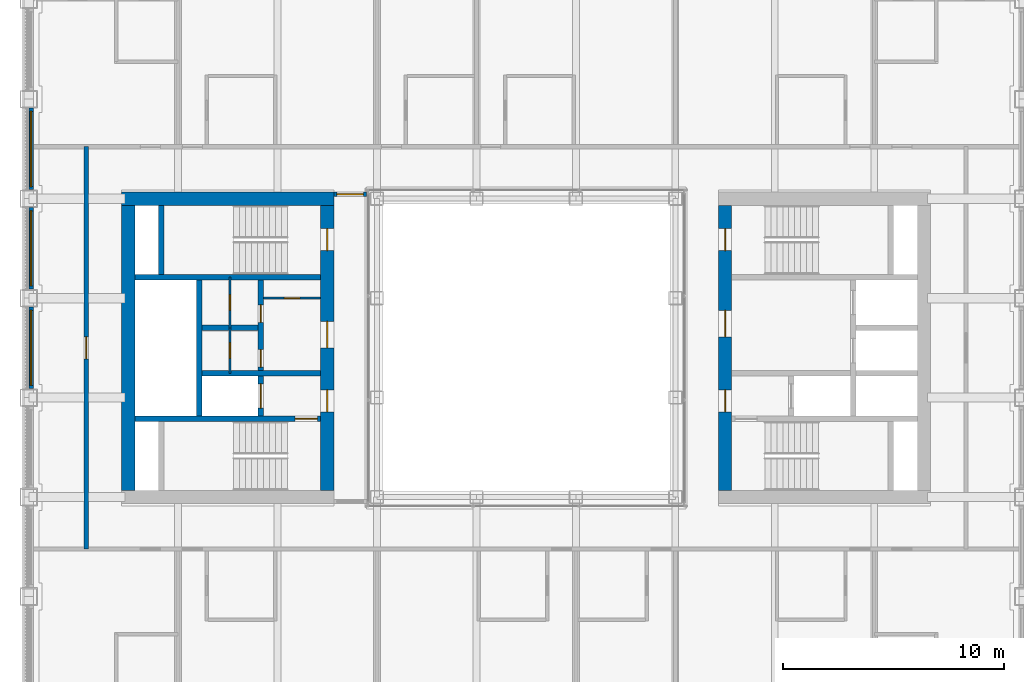
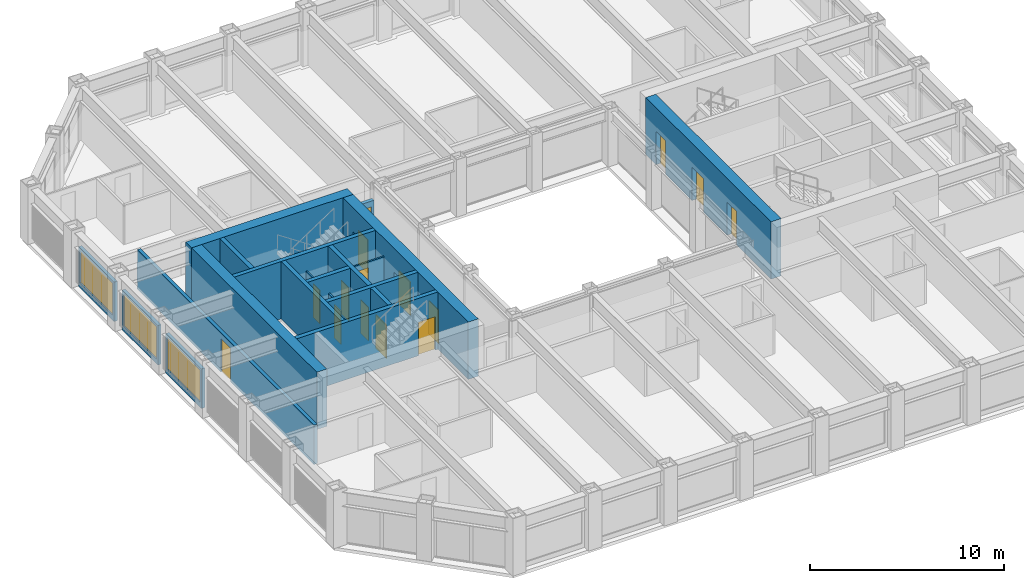
# One storey, part 11 of 17: 19 walls, 15 doors, 3 windows, 18 openings.
"""IFC4 building model written with IfcOpenShell, lengths in metres."""

from ifc_helpers import new_model, si_unit, direction, frame, frame_2d, origin, place, context, subcontext, project, spatial, rectangle, extrude, material, layer, layer_set, type_object, element, fill, save


model = new_model("IFC4")

# Units and contexts
model_context = context("Model", 3, precision=1e-05, world=origin(), true_north=direction((0.0, 1.0)))
body_context = subcontext(model_context, "Body", "Model", "MODEL_VIEW")
ifc_project = project(units=[si_unit("LENGTHUNIT", "METRE"), si_unit("AREAUNIT", "SQUARE_METRE"), si_unit("VOLUMEUNIT", "CUBIC_METRE"), si_unit("PLANEANGLEUNIT", "RADIAN"), si_unit("MASSUNIT", "GRAM", prefix="KILO")], contexts=[model_context])

# Site, building, storey
site_placement = place(None, origin())
site = spatial("IfcSite", under=ifc_project, at=site_placement, CompositionType="ELEMENT")
building_placement = place(site_placement, origin())
building = spatial("IfcBuilding", under=site, at=building_placement, Name="Msasa Ring Tower", CompositionType="ELEMENT")
storey_placement = place(building_placement, frame((0.0, 0.0, 161.60009765625)))
storey = spatial("IfcBuildingStorey", under=building, at=storey_placement, Name="L42", CompositionType="ELEMENT", Elevation=161.60009765625)

# Wall, openings, doors
ifc_material_1 = material(Name="Concrete C60/75", Category="concrete")
ifc_layer_1 = layer(ifc_material_1, 0.60009765625)
ifc_layer_set_1 = layer_set([ifc_layer_1], Name="CW2 CORE WALL 600")
wall_type_1 = type_object("IfcWallType", Name="CW2 CORE WALL 600", PredefinedType="SHEAR", material=ifc_layer_set_1)
wall_1_placement = place(storey_placement, frame((9.0, -6.449951171875, 0.0), z_axis=(0.0, 0.0, 1.0), x_axis=(0.0, 1.0, 0.0)))
wall_1 = element("IfcWall", 1, at=wall_1_placement, inside=storey, type_object=wall_type_1, Name="E core wall W L42", PredefinedType="SHEAR", context=body_context, shape_type="SweptSolid", body=[
    extrude(rectangle(XDim=12.89990234375, YDim=0.60009765625, at=frame_2d((6.449951171875, 0.0))), origin(), (0.0, 0.0, 1.0), 3.599853515625),
])
opening_1_placement = place(wall_1_placement, frame((3.550048828125, 0.0, 0.0)))
opening_1 = element("IfcOpeningElement", 2, at=opening_1_placement, cuts=wall_1, Name="Opening HE-028", PredefinedType="OPENING", context=body_context, shape_type="SweptSolid", body=[
    extrude(rectangle(XDim=1.0, YDim=2.10009765625, at=frame_2d((0.5, 1.050048828125))), frame((0.0, 0.31005859375, 0.0), z_axis=(0.0, -1.0, 0.0), x_axis=(1.0, 0.0, 0.0)), (0.0, 0.0, 1.0), 0.6201171875),
])
opening_2_placement = place(wall_1_placement, frame((6.949951171875, 0.0, 0.0)))
opening_2 = element("IfcOpeningElement", 3, at=opening_2_placement, cuts=wall_1, Name="Opening HE-021", PredefinedType="OPENING", context=body_context, shape_type="SweptSolid", body=[
    extrude(rectangle(XDim=1.199951171875, YDim=2.10009765625, at=frame_2d((0.60009765625, 1.050048828125))), frame((0.0, 0.31005859375, 0.0), z_axis=(0.0, -1.0, 0.0), x_axis=(1.0, 0.0, 0.0)), (0.0, 0.0, 1.0), 0.6201171875),
])
opening_3_placement = place(wall_1_placement, frame((10.85009765625, 0.0, 0.0)))
opening_3 = element("IfcOpeningElement", 4, at=opening_3_placement, cuts=wall_1, Name="Opening HE-017", PredefinedType="OPENING", context=body_context, shape_type="SweptSolid", body=[
    extrude(rectangle(XDim=1.0, YDim=2.10009765625, at=frame_2d((0.5, 1.050048828125))), frame((0.0, 0.31005859375, 0.0), z_axis=(0.0, -1.0, 0.0), x_axis=(1.0, 0.0, 0.0)), (0.0, 0.0, 1.0), 0.6201171875),
])
ifc_material_2 = material(Name="Timber door leaf in a steel frame", Category="steel")
door_type_1 = type_object("IfcDoorType", Name="D4 LOBBY DOOR 1000x2100", OperationType="SINGLE_SWING_LEFT", PredefinedType="DOOR", material=ifc_material_2)
door_1_placement = place(opening_1_placement, origin())
door_1 = element("IfcDoor", 5, at=door_1_placement, inside=storey, type_object=door_type_1, Name="Door L42-EFFL", OperationType="SINGLE_SWING_LEFT", OverallHeight=2.10009765625, OverallWidth=1.0, PredefinedType="DOOR", context=body_context, shape_type="SweptSolid", body=[
    extrude(rectangle(XDim=1.0, YDim=2.10009765625, at=frame_2d((0.5, 1.050048828125))), frame((0.0, 0.02490234375, 0.0), z_axis=(0.0, -1.0, 0.0), x_axis=(1.0, 0.0, 0.0)), (0.0, 0.0, 1.0), 0.050048828125),
])
fill(opening_1, door_1)
ifc_material_3 = material(Name="Timber door leaf in a steel frame", Category="steel")
door_type_2 = type_object("IfcDoorType", Name="D5 WIDE LOBBY DOOR 1200x2100", OperationType="SINGLE_SWING_LEFT", PredefinedType="DOOR", material=ifc_material_3)
door_2_placement = place(opening_2_placement, origin())
door_2 = element("IfcDoor", 6, at=door_2_placement, inside=storey, type_object=door_type_2, Name="Door L42-ELL", OperationType="SINGLE_SWING_RIGHT", OverallHeight=2.10009765625, OverallWidth=1.199951171875, PredefinedType="DOOR", context=body_context, shape_type="SweptSolid", body=[
    extrude(rectangle(XDim=1.199951171875, YDim=2.10009765625, at=frame_2d((0.60009765625, 1.050048828125))), frame((0.0, 0.02490234375, 0.0), z_axis=(0.0, -1.0, 0.0), x_axis=(1.0, 0.0, 0.0)), (0.0, 0.0, 1.0), 0.050048828125),
])
fill(opening_2, door_2)
ifc_material_4 = material(Name="Timber door leaf in a steel frame", Category="steel")
door_type_3 = type_object("IfcDoorType", Name="D6 STAIR DOOR 1000x2100", OperationType="SINGLE_SWING_LEFT", PredefinedType="DOOR", material=ifc_material_4)
door_3_placement = place(opening_3_placement, origin())
door_3 = element("IfcDoor", 7, at=door_3_placement, inside=storey, type_object=door_type_3, Name="Door L42-ESTB", OperationType="SINGLE_SWING_RIGHT", OverallHeight=2.10009765625, OverallWidth=1.0, PredefinedType="DOOR", context=body_context, shape_type="SweptSolid", body=[
    extrude(rectangle(XDim=1.0, YDim=2.10009765625, at=frame_2d((0.5, 1.050048828125))), frame((0.0, 0.02490234375, 0.0), z_axis=(0.0, -1.0, 0.0), x_axis=(1.0, 0.0, 0.0)), (0.0, 0.0, 1.0), 0.050048828125),
])
fill(opening_3, door_3)

# Wall
wall_2_placement = place(storey_placement, frame((-8.699951171875, 6.75, 0.0), z_axis=(0.0, 0.0, 1.0), x_axis=(-1.0, 0.0, 0.0)))
element("IfcWall", 8, at=wall_2_placement, inside=storey, type_object=wall_type_1, Name="W core wall N L42", PredefinedType="SHEAR", context=body_context, shape_type="SweptSolid", body=[
    extrude(rectangle(XDim=9.60009765625, YDim=0.60009765625, at=frame_2d((4.800048828125, 0.0))), origin(), (0.0, 0.0, 1.0), 3.599853515625),
])

# Wall, openings, doors
wall_3_placement = place(storey_placement, frame((-9.0, -6.449951171875, 0.0), z_axis=(0.0, 0.0, 1.0), x_axis=(0.0, 1.0, 0.0)))
wall_3 = element("IfcWall", 9, at=wall_3_placement, inside=storey, type_object=wall_type_1, Name="W core wall W L42", PredefinedType="SHEAR", context=body_context, shape_type="SweptSolid", body=[
    extrude(rectangle(XDim=12.89990234375, YDim=0.60009765625, at=frame_2d((6.449951171875, 0.0))), origin(), (0.0, 0.0, 1.0), 3.599853515625),
])
opening_4_placement = place(wall_3_placement, frame((3.550048828125, 0.0, 0.0)))
opening_4 = element("IfcOpeningElement", 10, at=opening_4_placement, cuts=wall_3, Name="Opening HE-027", PredefinedType="OPENING", context=body_context, shape_type="SweptSolid", body=[
    extrude(rectangle(XDim=1.0, YDim=2.10009765625, at=frame_2d((0.5, 1.050048828125))), frame((0.0, 0.31005859375, 0.0), z_axis=(0.0, -1.0, 0.0), x_axis=(1.0, 0.0, 0.0)), (0.0, 0.0, 1.0), 0.6201171875),
])
opening_5_placement = place(wall_3_placement, frame((6.449951171875, 0.0, 0.0)))
opening_5 = element("IfcOpeningElement", 11, at=opening_5_placement, cuts=wall_3, Name="Opening HE-022", PredefinedType="OPENING", context=body_context, shape_type="SweptSolid", body=[
    extrude(rectangle(XDim=1.199951171875, YDim=2.10009765625, at=frame_2d((0.60009765625, 1.050048828125))), frame((0.0, 0.31005859375, 0.0), z_axis=(0.0, -1.0, 0.0), x_axis=(1.0, 0.0, 0.0)), (0.0, 0.0, 1.0), 0.6201171875),
])
opening_6_placement = place(wall_3_placement, frame((10.85009765625, 0.0, 0.0)))
opening_6 = element("IfcOpeningElement", 12, at=opening_6_placement, cuts=wall_3, Name="Opening HE-016", PredefinedType="OPENING", context=body_context, shape_type="SweptSolid", body=[
    extrude(rectangle(XDim=1.0, YDim=2.10009765625, at=frame_2d((0.5, 1.050048828125))), frame((0.0, 0.31005859375, 0.0), z_axis=(0.0, -1.0, 0.0), x_axis=(1.0, 0.0, 0.0)), (0.0, 0.0, 1.0), 0.6201171875),
])
door_4_placement = place(opening_4_placement, origin())
door_4 = element("IfcDoor", 13, at=door_4_placement, inside=storey, type_object=door_type_1, Name="Door L42-WFFL", OperationType="SINGLE_SWING_LEFT", OverallHeight=2.10009765625, OverallWidth=1.0, PredefinedType="DOOR", context=body_context, shape_type="SweptSolid", body=[
    extrude(rectangle(XDim=1.0, YDim=2.10009765625, at=frame_2d((0.5, 1.050048828125))), frame((0.0, 0.02490234375, 0.0), z_axis=(0.0, -1.0, 0.0), x_axis=(1.0, 0.0, 0.0)), (0.0, 0.0, 1.0), 0.050048828125),
])
fill(opening_4, door_4)
door_5_placement = place(opening_5_placement, origin())
door_5 = element("IfcDoor", 14, at=door_5_placement, inside=storey, type_object=door_type_2, Name="Door L42-WLL", OperationType="SINGLE_SWING_RIGHT", OverallHeight=2.10009765625, OverallWidth=1.199951171875, PredefinedType="DOOR", context=body_context, shape_type="SweptSolid", body=[
    extrude(rectangle(XDim=1.199951171875, YDim=2.10009765625, at=frame_2d((0.60009765625, 1.050048828125))), frame((0.0, 0.02490234375, 0.0), z_axis=(0.0, -1.0, 0.0), x_axis=(1.0, 0.0, 0.0)), (0.0, 0.0, 1.0), 0.050048828125),
])
fill(opening_5, door_5)
door_6_placement = place(opening_6_placement, origin())
door_6 = element("IfcDoor", 15, at=door_6_placement, inside=storey, type_object=door_type_3, Name="Door L42-WSTB", OperationType="SINGLE_SWING_RIGHT", OverallHeight=2.10009765625, OverallWidth=1.0, PredefinedType="DOOR", context=body_context, shape_type="SweptSolid", body=[
    extrude(rectangle(XDim=1.0, YDim=2.10009765625, at=frame_2d((0.5, 1.050048828125))), frame((0.0, 0.02490234375, 0.0), z_axis=(0.0, -1.0, 0.0), x_axis=(1.0, 0.0, 0.0)), (0.0, 0.0, 1.0), 0.050048828125),
])
fill(opening_6, door_6)

# Wall
wall_4_placement = place(storey_placement, frame((-18.0, -6.449951171875, 0.0), z_axis=(0.0, 0.0, 1.0), x_axis=(0.0, 1.0, 0.0)))
element("IfcWall", 16, at=wall_4_placement, inside=storey, type_object=wall_type_1, Name="W core wall E L42", PredefinedType="SHEAR", context=body_context, shape_type="SweptSolid", body=[
    extrude(rectangle(XDim=12.89990234375, YDim=0.60009765625, at=frame_2d((6.449951171875, 0.0))), origin(), (0.0, 0.0, 1.0), 3.599853515625),
])

# Wall, opening, door
ifc_material_5 = material(Name="Concrete C60/75", Category="concrete")
ifc_layer_2 = layer(ifc_material_5, 0.25)
ifc_layer_set_2 = layer_set([ifc_layer_2], Name="CW4 CORE INNER WALL 250")
wall_type_2 = type_object("IfcWallType", Name="CW4 CORE INNER WALL 250", PredefinedType="SHEAR", material=ifc_layer_set_2)
wall_5_placement = place(storey_placement, frame((-9.300048828125, -3.199951171875, 0.0), z_axis=(0.0, 0.0, 1.0), x_axis=(-1.0, 0.0, 0.0)))
wall_5 = element("IfcWall", 17, at=wall_5_placement, inside=storey, type_object=wall_type_2, Name="W core wall STAIRA L42", PredefinedType="SHEAR", context=body_context, shape_type="SweptSolid", body=[
    extrude(rectangle(XDim=8.39990234375, YDim=0.25, at=frame_2d((4.199951171875, 0.0))), origin(), (0.0, 0.0, 1.0), 3.599853515625),
])
opening_7_placement = place(wall_5_placement, frame((0.14990234375, 0.0, 0.0)))
opening_7 = element("IfcOpeningElement", 18, at=opening_7_placement, cuts=wall_5, Name="Opening HE-029", PredefinedType="OPENING", context=body_context, shape_type="SweptSolid", body=[
    extrude(rectangle(XDim=1.0, YDim=2.10009765625, at=frame_2d((0.5, 1.050048828125))), frame((0.0, 0.135009765625, 0.0), z_axis=(0.0, -1.0, 0.0), x_axis=(1.0, 0.0, 0.0)), (0.0, 0.0, 1.0), 0.27001953125),
])
door_7_placement = place(opening_7_placement, origin())
door_7 = element("IfcDoor", 19, at=door_7_placement, inside=storey, type_object=door_type_3, Name="Door L42-WSTA", OperationType="SINGLE_SWING_LEFT", OverallHeight=2.10009765625, OverallWidth=1.0, PredefinedType="DOOR", context=body_context, shape_type="SweptSolid", body=[
    extrude(rectangle(XDim=1.0, YDim=2.10009765625, at=frame_2d((0.5, 1.050048828125))), frame((0.0, 0.02490234375, 0.0), z_axis=(0.0, -1.0, 0.0), x_axis=(1.0, 0.0, 0.0)), (0.0, 0.0, 1.0), 0.050048828125),
])
fill(opening_7, door_7)

# Walls
wall_6_placement = place(storey_placement, frame((-9.300048828125, 3.199951171875, 0.0), z_axis=(0.0, 0.0, 1.0), x_axis=(-1.0, 0.0, 0.0)))
element("IfcWall", 20, at=wall_6_placement, inside=storey, type_object=wall_type_2, Name="W core wall STAIRB L42", PredefinedType="SHEAR", context=body_context, shape_type="SweptSolid", body=[
    extrude(rectangle(XDim=8.39990234375, YDim=0.25, at=frame_2d((4.199951171875, 0.0))), origin(), (0.0, 0.0, 1.0), 3.599853515625),
])
wall_7_placement = place(storey_placement, frame((-16.5, 3.324951171875, 0.0), z_axis=(0.0, 0.0, 1.0), x_axis=(0.0, 1.0, 0.0)))
element("IfcWall", 21, at=wall_7_placement, inside=storey, type_object=wall_type_2, Name="W core wall RISERB L42", PredefinedType="SHEAR", context=body_context, shape_type="SweptSolid", body=[
    extrude(rectangle(XDim=3.125, YDim=0.25, at=frame_2d((1.5625, 0.0))), origin(), (0.0, 0.0, 1.0), 3.599853515625),
])
wall_8_placement = place(storey_placement, frame((-9.300048828125, -1.14990234375, 0.0), z_axis=(0.0, 0.0, 1.0), x_axis=(-1.0, 0.0, 0.0)))
element("IfcWall", 22, at=wall_8_placement, inside=storey, type_object=wall_type_2, Name="W core wall FFL L42", PredefinedType="SHEAR", context=body_context, shape_type="SweptSolid", body=[
    extrude(rectangle(XDim=5.375, YDim=0.25, at=frame_2d((2.6875, 0.0))), origin(), (0.0, 0.0, 1.0), 3.599853515625),
])

# Wall, openings, doors
wall_9_placement = place(storey_placement, frame((-12.0, -3.074951171875, 0.0), z_axis=(0.0, 0.0, 1.0), x_axis=(0.0, 1.0, 0.0)))
wall_9 = element("IfcWall", 23, at=wall_9_placement, inside=storey, type_object=wall_type_2, Name="W core wall LOBBY L42", PredefinedType="SHEAR", context=body_context, shape_type="SweptSolid", body=[
    extrude(rectangle(XDim=6.14990234375, YDim=0.25, at=frame_2d((3.074951171875, 0.0))), origin(), (0.0, 0.0, 1.0), 3.599853515625),
])
opening_8_placement = place(wall_9_placement, frame((2.199951171875, 0.0, 0.0)))
opening_8 = element("IfcOpeningElement", 24, at=opening_8_placement, cuts=wall_9, Name="Opening HE-026", PredefinedType="OPENING", context=body_context, shape_type="SweptSolid", body=[
    extrude(rectangle(XDim=0.800048828125, YDim=2.10009765625, at=frame_2d((0.39990234375, 1.050048828125))), frame((0.0, 0.135009765625, 0.0), z_axis=(0.0, -1.0, 0.0), x_axis=(1.0, 0.0, 0.0)), (0.0, 0.0, 1.0), 0.27001953125),
])
opening_9_placement = place(wall_9_placement, frame((4.22509765625, 0.0, 0.0)))
opening_9 = element("IfcOpeningElement", 25, at=opening_9_placement, cuts=wall_9, Name="Opening HE-020", PredefinedType="OPENING", context=body_context, shape_type="SweptSolid", body=[
    extrude(rectangle(XDim=0.800048828125, YDim=2.10009765625, at=frame_2d((0.39990234375, 1.050048828125))), frame((0.0, 0.135009765625, 0.0), z_axis=(0.0, -1.0, 0.0), x_axis=(1.0, 0.0, 0.0)), (0.0, 0.0, 1.0), 0.27001953125),
])
opening_10_placement = place(wall_9_placement, frame((0.35009765625, 0.0, 0.0)))
opening_10 = element("IfcOpeningElement", 26, at=opening_10_placement, cuts=wall_9, Name="Opening LD1", PredefinedType="OPENING", context=body_context, shape_type="SweptSolid", body=[
    extrude(rectangle(XDim=1.10009765625, YDim=2.10009765625, at=frame_2d((0.550048828125, 1.050048828125))), frame((0.0, 0.135009765625, 0.0), z_axis=(0.0, -1.0, 0.0), x_axis=(1.0, 0.0, 0.0)), (0.0, 0.0, 1.0), 0.27001953125),
])
ifc_material_6 = material(Name="Timber door leaf in a steel frame", Category="steel")
door_type_4 = type_object("IfcDoorType", Name="D9 NARROW SERVICE DOOR 800x2100", OperationType="SINGLE_SWING_LEFT", PredefinedType="DOOR", material=ifc_material_6)
door_8_placement = place(opening_8_placement, origin())
door_8 = element("IfcDoor", 27, at=door_8_placement, inside=storey, type_object=door_type_4, Name="Door L42-WR1", OperationType="SINGLE_SWING_LEFT", OverallHeight=2.10009765625, OverallWidth=0.800048828125, PredefinedType="DOOR", context=body_context, shape_type="SweptSolid", body=[
    extrude(rectangle(XDim=0.800048828125, YDim=2.10009765625, at=frame_2d((0.39990234375, 1.050048828125))), frame((0.0, 0.02490234375, 0.0), z_axis=(0.0, -1.0, 0.0), x_axis=(1.0, 0.0, 0.0)), (0.0, 0.0, 1.0), 0.050048828125),
])
fill(opening_8, door_8)
door_9_placement = place(opening_9_placement, origin())
door_9 = element("IfcDoor", 28, at=door_9_placement, inside=storey, type_object=door_type_4, Name="Door L42-WR2", OperationType="SINGLE_SWING_RIGHT", OverallHeight=2.10009765625, OverallWidth=0.800048828125, PredefinedType="DOOR", context=body_context, shape_type="SweptSolid", body=[
    extrude(rectangle(XDim=0.800048828125, YDim=2.10009765625, at=frame_2d((0.39990234375, 1.050048828125))), frame((0.0, 0.02490234375, 0.0), z_axis=(0.0, -1.0, 0.0), x_axis=(1.0, 0.0, 0.0)), (0.0, 0.0, 1.0), 0.050048828125),
])
fill(opening_9, door_9)
ifc_material_7 = material(Name="Stainless steel lift landing door", Category="steel")
door_type_5 = type_object("IfcDoorType", Name="LD1 LIFT LANDING DOOR 1100x2100", OperationType="DOUBLE_DOOR_SLIDING", PredefinedType="DOOR", material=ifc_material_7)
door_10_placement = place(opening_10_placement, origin())
door_10 = element("IfcDoor", 29, at=door_10_placement, inside=storey, type_object=door_type_5, Name="Lift landing door FL-W L42", OperationType="DOUBLE_DOOR_SLIDING", OverallHeight=2.10009765625, OverallWidth=1.10009765625, PredefinedType="DOOR", context=body_context, shape_type="SweptSolid", body=[
    extrude(rectangle(XDim=1.10009765625, YDim=2.10009765625, at=frame_2d((0.550048828125, 1.050048828125))), frame((0.0, 0.02490234375, 0.0), z_axis=(0.0, -1.0, 0.0), x_axis=(1.0, 0.0, 0.0)), (0.0, 0.0, 1.0), 0.050048828125),
])
fill(opening_10, door_10)

# Walls
wall_10_placement = place(storey_placement, frame((-14.800048828125, -3.074951171875, 0.0), z_axis=(0.0, 0.0, 1.0), x_axis=(0.0, 1.0, 0.0)))
element("IfcWall", 30, at=wall_10_placement, inside=storey, type_object=wall_type_2, Name="W core wall SHAFT L42", PredefinedType="SHEAR", context=body_context, shape_type="SweptSolid", body=[
    extrude(rectangle(XDim=6.14990234375, YDim=0.25, at=frame_2d((3.074951171875, 0.0))), origin(), (0.0, 0.0, 1.0), 3.599853515625),
])
wall_11_placement = place(storey_placement, frame((-12.125, 0.89990234375, 0.0), z_axis=(0.0, 0.0, 1.0), x_axis=(-1.0, 0.0, 0.0)))
element("IfcWall", 31, at=wall_11_placement, inside=storey, type_object=wall_type_2, Name="W core wall LIFT1 L42", PredefinedType="SHEAR", context=body_context, shape_type="SweptSolid", body=[
    extrude(rectangle(XDim=2.550048828125, YDim=0.25, at=frame_2d((1.27490234375, 0.0))), origin(), (0.0, 0.0, 1.0), 3.599853515625),
])

# Wall, opening, window
ifc_material_8 = material(Name="Terracotta rainscreen on blockwork", Category="masonry")
ifc_layer_3 = layer(ifc_material_8, 0.199951171875)
ifc_layer_set_3 = layer_set([ifc_layer_3], Name="FW1 TERRACOTTA-LINED INFILL BAY WALL 200")
wall_type_3 = type_object("IfcWallType", Name="FW1 TERRACOTTA-LINED INFILL BAY WALL 200", PredefinedType="SOLIDWALL", material=ifc_layer_set_3)
wall_12_placement = place(storey_placement, frame((-22.39990234375, -1.844970703125, 0.0), z_axis=(0.0, 0.0, 1.0), x_axis=(0.0, 1.0, 0.0)))
wall_12 = element("IfcWall", 32, at=wall_12_placement, inside=storey, type_object=wall_type_3, Name="Infill bay wall W L42 30", PredefinedType="SOLIDWALL", context=body_context, shape_type="SweptSolid", body=[
    extrude(rectangle(XDim=3.68994140625, YDim=0.199951171875, at=frame_2d((1.844970703125, 0.0))), origin(), (0.0, 0.0, 1.0), 2.47900390625),
])
opening_11_placement = place(wall_12_placement, frame((0.14501953125, 0.0, 0.300048828125)))
opening_11 = element("IfcOpeningElement", 33, at=opening_11_placement, cuts=wall_12, Name="Opening WN2", PredefinedType="OPENING", context=body_context, shape_type="SweptSolid", body=[
    extrude(rectangle(XDim=3.39990234375, YDim=2.029052734375, at=frame_2d((1.699951171875, 1.0146484375))), frame((0.0, 0.10986328125, 0.0), z_axis=(0.0, -1.0, 0.0), x_axis=(1.0, 0.0, 0.0)), (0.0, 0.0, 1.0), 0.219970703125),
])
ifc_material_9 = material(Name="Aluminium frame with clear glass", Category="aluminium")
window_type = type_object("IfcWindowType", Name="WN2 GUEST ROOM WINDOW 3400x2029", PartitioningType="SINGLE_PANEL", PredefinedType="WINDOW", material=ifc_material_9)
window_1_placement = place(opening_11_placement, origin())
window_1 = element("IfcWindow", 34, at=window_1_placement, inside=storey, type_object=window_type, Name="Window W L42 30", OverallHeight=2.029052734375, OverallWidth=3.39990234375, PartitioningType="SINGLE_PANEL", PredefinedType="WINDOW", context=body_context, shape_type="SweptSolid", body=[
    extrude(rectangle(XDim=3.39990234375, YDim=2.029052734375, at=frame_2d((1.699951171875, 1.0146484375))), frame((0.0, 0.030029296875, 0.0), z_axis=(0.0, -1.0, 0.0), x_axis=(1.0, 0.0, 0.0)), (0.0, 0.0, 1.0), 0.06005859375),
])
fill(opening_11, window_1)

wall_13_placement = place(storey_placement, frame((-22.39990234375, 2.655029296875, 0.0), z_axis=(0.0, 0.0, 1.0), x_axis=(0.0, 1.0, 0.0)))
wall_13 = element("IfcWall", 35, at=wall_13_placement, inside=storey, type_object=wall_type_3, Name="Infill bay wall W L42 31", PredefinedType="SOLIDWALL", context=body_context, shape_type="SweptSolid", body=[
    extrude(rectangle(XDim=3.68994140625, YDim=0.199951171875, at=frame_2d((1.844970703125, 0.0))), origin(), (0.0, 0.0, 1.0), 2.47900390625),
])
opening_12_placement = place(wall_13_placement, frame((0.14501953125, 0.0, 0.300048828125)))
opening_12 = element("IfcOpeningElement", 36, at=opening_12_placement, cuts=wall_13, Name="Opening WN2", PredefinedType="OPENING", context=body_context, shape_type="SweptSolid", body=[
    extrude(rectangle(XDim=3.39990234375, YDim=2.029052734375, at=frame_2d((1.699951171875, 1.0146484375))), frame((0.0, 0.10986328125, 0.0), z_axis=(0.0, -1.0, 0.0), x_axis=(1.0, 0.0, 0.0)), (0.0, 0.0, 1.0), 0.219970703125),
])
window_2_placement = place(opening_12_placement, origin())
window_2 = element("IfcWindow", 37, at=window_2_placement, inside=storey, type_object=window_type, Name="Window W L42 31", OverallHeight=2.029052734375, OverallWidth=3.39990234375, PartitioningType="SINGLE_PANEL", PredefinedType="WINDOW", context=body_context, shape_type="SweptSolid", body=[
    extrude(rectangle(XDim=3.39990234375, YDim=2.029052734375, at=frame_2d((1.699951171875, 1.0146484375))), frame((0.0, 0.030029296875, 0.0), z_axis=(0.0, -1.0, 0.0), x_axis=(1.0, 0.0, 0.0)), (0.0, 0.0, 1.0), 0.06005859375),
])
fill(opening_12, window_2)

wall_14_placement = place(storey_placement, frame((-22.39990234375, 7.155029296875, 0.0), z_axis=(0.0, 0.0, 1.0), x_axis=(0.0, 1.0, 0.0)))
wall_14 = element("IfcWall", 38, at=wall_14_placement, inside=storey, type_object=wall_type_3, Name="Infill bay wall W L42 32", PredefinedType="SOLIDWALL", context=body_context, shape_type="SweptSolid", body=[
    extrude(rectangle(XDim=3.68994140625, YDim=0.199951171875, at=frame_2d((1.844970703125, 0.0))), origin(), (0.0, 0.0, 1.0), 2.47900390625),
])
opening_13_placement = place(wall_14_placement, frame((0.14501953125, 0.0, 0.300048828125)))
opening_13 = element("IfcOpeningElement", 39, at=opening_13_placement, cuts=wall_14, Name="Opening WN2", PredefinedType="OPENING", context=body_context, shape_type="SweptSolid", body=[
    extrude(rectangle(XDim=3.39990234375, YDim=2.029052734375, at=frame_2d((1.699951171875, 1.0146484375))), frame((0.0, 0.10986328125, 0.0), z_axis=(0.0, -1.0, 0.0), x_axis=(1.0, 0.0, 0.0)), (0.0, 0.0, 1.0), 0.219970703125),
])
window_3_placement = place(opening_13_placement, origin())
window_3 = element("IfcWindow", 40, at=window_3_placement, inside=storey, type_object=window_type, Name="Window W L42 32", OverallHeight=2.029052734375, OverallWidth=3.39990234375, PartitioningType="SINGLE_PANEL", PredefinedType="WINDOW", context=body_context, shape_type="SweptSolid", body=[
    extrude(rectangle(XDim=3.39990234375, YDim=2.029052734375, at=frame_2d((1.699951171875, 1.0146484375))), frame((0.0, 0.030029296875, 0.0), z_axis=(0.0, -1.0, 0.0), x_axis=(1.0, 0.0, 0.0)), (0.0, 0.0, 1.0), 0.06005859375),
])
fill(opening_13, window_3)

# Wall, opening, door
ifc_material_10 = material(Name="Concrete blockwork", Category="masonry")
ifc_layer_4 = layer(ifc_material_10, 0.199951171875)
ifc_layer_set_4 = layer_set([ifc_layer_4], Name="PT1 CORRIDOR WALL 200")
wall_type_4 = type_object("IfcWallType", Name="PT1 CORRIDOR WALL 200", PredefinedType="PARTITIONING", material=ifc_layer_set_4)
wall_15_placement = place(storey_placement, frame((-8.699951171875, 6.949951171875, 0.0), z_axis=(0.0, 0.0, 1.0), x_axis=(1.0, 0.0, 0.0)))
wall_15 = element("IfcWall", 41, at=wall_15_placement, inside=storey, type_object=wall_type_4, Name="Corridor wall L42-SDWN", PredefinedType="PARTITIONING", context=body_context, shape_type="SweptSolid", body=[
    extrude(rectangle(XDim=1.469970703125, YDim=0.199951171875, at=frame_2d((0.73486328125, 0.0))), origin(), (0.0, 0.0, 1.0), 2.473388671875),
])
opening_14_placement = place(wall_15_placement, frame((0.135009765625, 0.0, 0.0)))
opening_14 = element("IfcOpeningElement", 42, at=opening_14_placement, cuts=wall_15, Name="Opening HE-015", PredefinedType="OPENING", context=body_context, shape_type="SweptSolid", body=[
    extrude(rectangle(XDim=1.199951171875, YDim=2.10009765625, at=frame_2d((0.60009765625, 1.050048828125))), frame((0.0, 0.10986328125, 0.0), z_axis=(0.0, -1.0, 0.0), x_axis=(1.0, 0.0, 0.0)), (0.0, 0.0, 1.0), 0.219970703125),
])
ifc_material_11 = material(Name="Timber door leaf in a steel frame", Category="steel")
door_type_6 = type_object("IfcDoorType", Name="D25 CORRIDOR PAIR OF SMOKE DOORS 1200x2100", OperationType="DOUBLE_DOOR_DOUBLE_SWING", PredefinedType="DOOR", material=ifc_material_11)
door_11_placement = place(opening_14_placement, origin())
door_11 = element("IfcDoor", 43, at=door_11_placement, inside=storey, type_object=door_type_6, Name="Door L42-SDWN", OperationType="DOUBLE_DOOR_DOUBLE_SWING", OverallHeight=2.10009765625, OverallWidth=1.199951171875, PredefinedType="DOOR", context=body_context, shape_type="SweptSolid", body=[
    extrude(rectangle(XDim=1.199951171875, YDim=2.10009765625, at=frame_2d((0.60009765625, 1.050048828125))), frame((0.0, 0.02490234375, 0.0), z_axis=(0.0, -1.0, 0.0), x_axis=(1.0, 0.0, 0.0)), (0.0, 0.0, 1.0), 0.050048828125),
])
fill(opening_14, door_11)

wall_16_placement = place(storey_placement, frame((-19.89990234375, -9.10009765625, 0.0), z_axis=(0.0, 0.0, 1.0), x_axis=(0.0, 1.0, 0.0)))
wall_16 = element("IfcWall", 44, at=wall_16_placement, inside=storey, type_object=wall_type_4, Name="Corridor wall L42-STRW", PredefinedType="PARTITIONING", context=body_context, shape_type="SweptSolid", body=[
    extrude(rectangle(XDim=18.2001953125, YDim=0.199951171875, at=frame_2d((9.10009765625, 0.0))), origin(), (0.0, 0.0, 1.0), 2.473388671875),
])
opening_15_placement = place(wall_16_placement, frame((8.60009765625, 0.0, 0.0)))
opening_15 = element("IfcOpeningElement", 45, at=opening_15_placement, cuts=wall_16, Name="Opening HE-023", PredefinedType="OPENING", context=body_context, shape_type="SweptSolid", body=[
    extrude(rectangle(XDim=1.0, YDim=2.10009765625, at=frame_2d((0.5, 1.050048828125))), frame((0.0, 0.10986328125, 0.0), z_axis=(0.0, -1.0, 0.0), x_axis=(1.0, 0.0, 0.0)), (0.0, 0.0, 1.0), 0.219970703125),
])
ifc_material_12 = material(Name="Timber door leaf in a steel frame", Category="steel")
door_type_7 = type_object("IfcDoorType", Name="D10 STORE DOOR 1000x2100", OperationType="SINGLE_SWING_LEFT", PredefinedType="DOOR", material=ifc_material_12)
door_12_placement = place(opening_15_placement, origin())
door_12 = element("IfcDoor", 46, at=door_12_placement, inside=storey, type_object=door_type_7, Name="Door L42-LGW", OperationType="SINGLE_SWING_LEFT", OverallHeight=2.10009765625, OverallWidth=1.0, PredefinedType="DOOR", context=body_context, shape_type="SweptSolid", body=[
    extrude(rectangle(XDim=1.0, YDim=2.10009765625, at=frame_2d((0.5, 1.050048828125))), frame((0.0, 0.02490234375, 0.0), z_axis=(0.0, -1.0, 0.0), x_axis=(1.0, 0.0, 0.0)), (0.0, 0.0, 1.0), 0.050048828125),
])
fill(opening_15, door_12)

ifc_material_13 = material(Name="Gypsum board on steel studs", Category="steel")
ifc_layer_5 = layer(ifc_material_13, 0.10009765625)
ifc_layer_set_5 = layer_set([ifc_layer_5], Name="PT2 STUD PARTITION 100")
wall_type_5 = type_object("IfcWallType", Name="PT2 STUD PARTITION 100", PredefinedType="PARTITIONING", material=ifc_layer_set_5)
wall_17_placement = place(storey_placement, frame((-11.875, 2.25, 0.0), z_axis=(0.0, 0.0, 1.0), x_axis=(1.0, 0.0, 0.0)))
wall_17 = element("IfcWall", 47, at=wall_17_placement, inside=storey, type_object=wall_type_5, Name="Partition L42-WCP", PredefinedType="PARTITIONING", context=body_context, shape_type="SweptSolid", body=[
    extrude(rectangle(XDim=2.574951171875, YDim=0.10009765625, at=frame_2d((1.28759765625, 0.0))), origin(), (0.0, 0.0, 1.0), 2.473388671875),
])
opening_16_placement = place(wall_17_placement, frame((0.9375, 0.0, 0.0)))
opening_16 = element("IfcOpeningElement", 48, at=opening_16_placement, cuts=wall_17, Name="Opening HE-018", PredefinedType="OPENING", context=body_context, shape_type="SweptSolid", body=[
    extrude(rectangle(XDim=0.699951171875, YDim=2.10009765625, at=frame_2d((0.35009765625, 1.050048828125))), frame((0.0, 0.06005859375, 0.0), z_axis=(0.0, -1.0, 0.0), x_axis=(1.0, 0.0, 0.0)), (0.0, 0.0, 1.0), 0.1201171875),
])
ifc_material_14 = material(Name="Timber door leaf in a steel frame", Category="steel")
door_type_8 = type_object("IfcDoorType", Name="D32 INTERNAL NARROW STORE DOOR 700x2100", OperationType="SINGLE_SWING_LEFT", PredefinedType="DOOR", material=ifc_material_14)
door_13_placement = place(opening_16_placement, origin())
door_13 = element("IfcDoor", 49, at=door_13_placement, inside=storey, type_object=door_type_8, Name="Door L42-WCP", OperationType="SINGLE_SWING_LEFT", OverallHeight=2.10009765625, OverallWidth=0.699951171875, PredefinedType="DOOR", context=body_context, shape_type="SweptSolid", body=[
    extrude(rectangle(XDim=0.699951171875, YDim=2.10009765625, at=frame_2d((0.35009765625, 1.050048828125))), frame((0.0, 0.02490234375, 0.0), z_axis=(0.0, -1.0, 0.0), x_axis=(1.0, 0.0, 0.0)), (0.0, 0.0, 1.0), 0.050048828125),
])
fill(opening_16, door_13)

wall_18_placement = place(storey_placement, frame((-13.39990234375, -1.14990234375, 0.0), z_axis=(0.0, 0.0, 1.0), x_axis=(0.0, 1.0, 0.0)))
wall_18 = element("IfcWall", 50, at=wall_18_placement, inside=storey, type_object=wall_type_5, Name="Partition L42-WRP1", PredefinedType="PARTITIONING", context=body_context, shape_type="SweptSolid", body=[
    extrude(rectangle(XDim=2.0498046875, YDim=0.10009765625, at=frame_2d((1.02490234375, 0.0))), origin(), (0.0, 0.0, 1.0), 2.473388671875),
])
opening_17_placement = place(wall_18_placement, frame((0.675048828125, 0.0, 0.0)))
opening_17 = element("IfcOpeningElement", 51, at=opening_17_placement, cuts=wall_18, Name="Opening HE-025", PredefinedType="OPENING", context=body_context, shape_type="SweptSolid", body=[
    extrude(rectangle(XDim=0.699951171875, YDim=2.10009765625, at=frame_2d((0.35009765625, 1.050048828125))), frame((0.0, 0.06005859375, 0.0), z_axis=(0.0, -1.0, 0.0), x_axis=(1.0, 0.0, 0.0)), (0.0, 0.0, 1.0), 0.1201171875),
])
door_14_placement = place(opening_17_placement, origin())
door_14 = element("IfcDoor", 52, at=door_14_placement, inside=storey, type_object=door_type_8, Name="Door L42-WRC1", OperationType="SINGLE_SWING_LEFT", OverallHeight=2.10009765625, OverallWidth=0.699951171875, PredefinedType="DOOR", context=body_context, shape_type="SweptSolid", body=[
    extrude(rectangle(XDim=0.699951171875, YDim=2.10009765625, at=frame_2d((0.35009765625, 1.050048828125))), frame((0.0, 0.02490234375, 0.0), z_axis=(0.0, -1.0, 0.0), x_axis=(1.0, 0.0, 0.0)), (0.0, 0.0, 1.0), 0.050048828125),
])
fill(opening_17, door_14)

wall_19_placement = place(storey_placement, frame((-13.39990234375, 0.89990234375, 0.0), z_axis=(0.0, 0.0, 1.0), x_axis=(0.0, 1.0, 0.0)))
wall_19 = element("IfcWall", 53, at=wall_19_placement, inside=storey, type_object=wall_type_5, Name="Partition L42-WRP2", PredefinedType="PARTITIONING", context=body_context, shape_type="SweptSolid", body=[
    extrude(rectangle(XDim=2.300048828125, YDim=0.10009765625, at=frame_2d((1.14990234375, 0.0))), origin(), (0.0, 0.0, 1.0), 2.473388671875),
])
opening_18_placement = place(wall_19_placement, frame((0.800048828125, 0.0, 0.0)))
opening_18 = element("IfcOpeningElement", 54, at=opening_18_placement, cuts=wall_19, Name="Opening HE-019", PredefinedType="OPENING", context=body_context, shape_type="SweptSolid", body=[
    extrude(rectangle(XDim=0.699951171875, YDim=2.10009765625, at=frame_2d((0.35009765625, 1.050048828125))), frame((0.0, 0.06005859375, 0.0), z_axis=(0.0, -1.0, 0.0), x_axis=(1.0, 0.0, 0.0)), (0.0, 0.0, 1.0), 0.1201171875),
])
door_15_placement = place(opening_18_placement, origin())
door_15 = element("IfcDoor", 55, at=door_15_placement, inside=storey, type_object=door_type_8, Name="Door L42-WRC2", OperationType="SINGLE_SWING_LEFT", OverallHeight=2.10009765625, OverallWidth=0.699951171875, PredefinedType="DOOR", context=body_context, shape_type="SweptSolid", body=[
    extrude(rectangle(XDim=0.699951171875, YDim=2.10009765625, at=frame_2d((0.35009765625, 1.050048828125))), frame((0.0, 0.02490234375, 0.0), z_axis=(0.0, -1.0, 0.0), x_axis=(1.0, 0.0, 0.0)), (0.0, 0.0, 1.0), 0.050048828125),
])
fill(opening_18, door_15)

save(model, "model.ifc")
